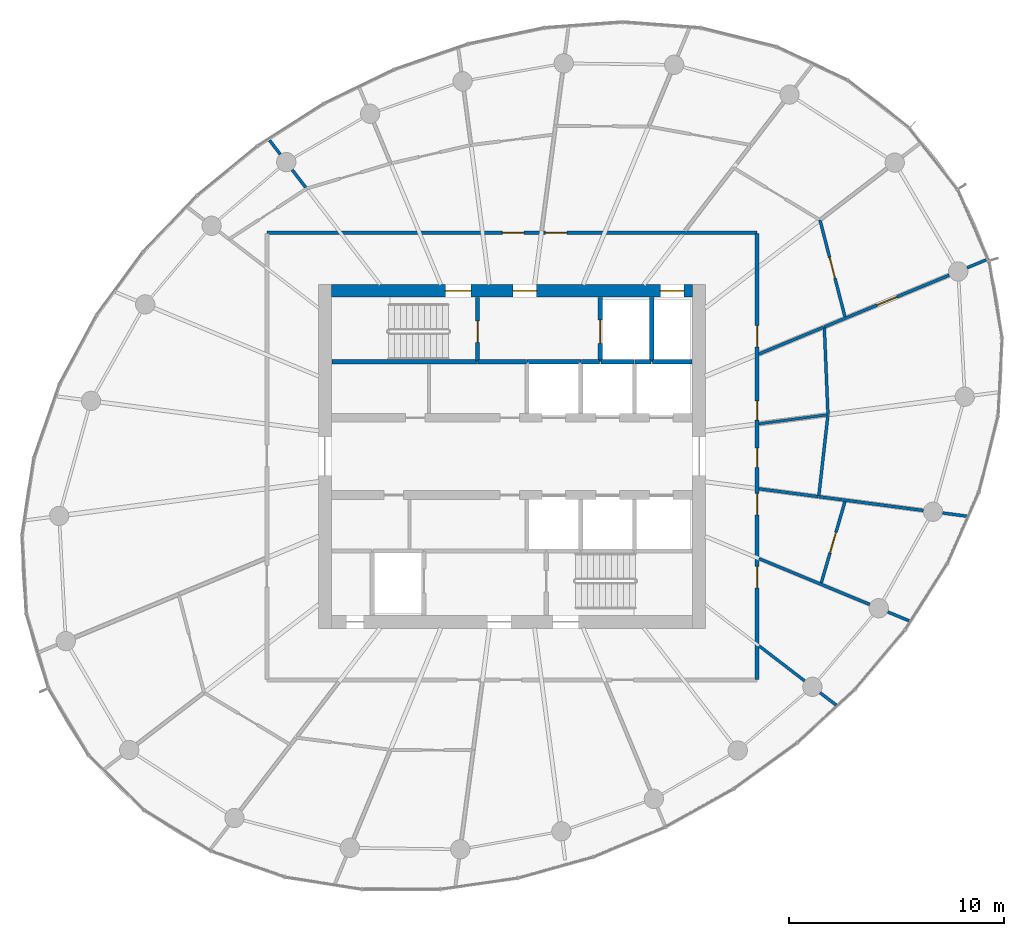
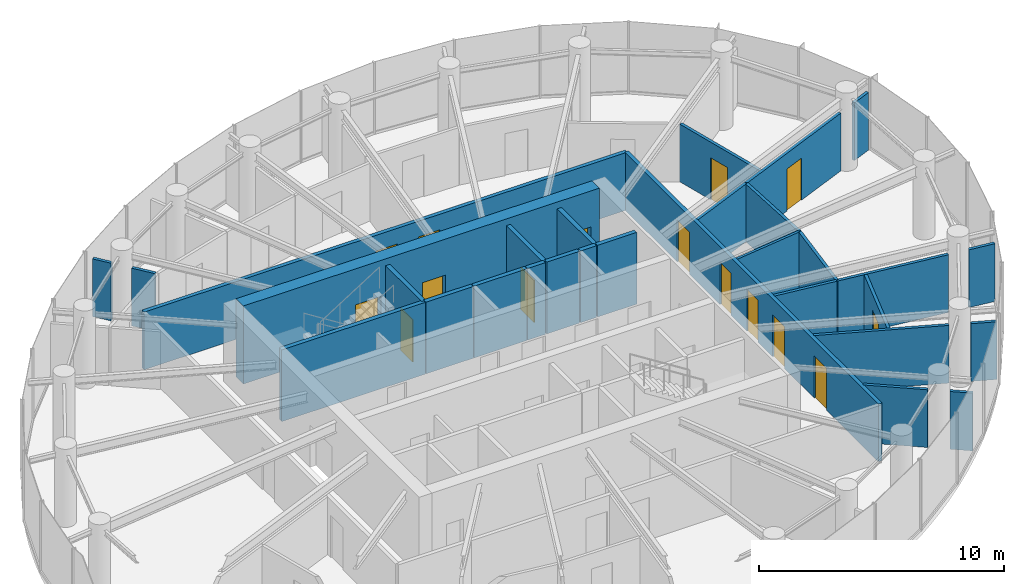
# One storey, part 11 of 14: 30 walls, 15 doors, 15 openings.
"""IFC4 building model written with IfcOpenShell, lengths in metres."""

from ifc_helpers import new_model, si_unit, direction, frame, frame_2d, origin, place, context, subcontext, project, spatial, rectangle, extrude, source, transform, mapped, material, layer, layer_set, type_object, element, fill, save


model = new_model("IFC4")

# Units and contexts
model_context = context("Model", 3, precision=1e-05, world=origin(), true_north=direction((0.0, 1.0)))
body_context = subcontext(model_context, "Body", "Model", "MODEL_VIEW")
ifc_project = project(units=[si_unit("LENGTHUNIT", "METRE"), si_unit("AREAUNIT", "SQUARE_METRE"), si_unit("VOLUMEUNIT", "CUBIC_METRE"), si_unit("PLANEANGLEUNIT", "RADIAN"), si_unit("MASSUNIT", "GRAM", prefix="KILO")], contexts=[model_context])

# Site, building, storey
site_placement = place(None, origin())
site = spatial("IfcSite", under=ifc_project, at=site_placement, CompositionType="ELEMENT")
building_placement = place(site_placement, origin())
building = spatial("IfcBuilding", under=site, at=building_placement, Name="Spindrift Exchange Tower", CompositionType="ELEMENT")
storey_placement = place(building_placement, frame((0.0, 0.0, 211.10009765625)))
storey = spatial("IfcBuildingStorey", under=building, at=storey_placement, Name="L51", CompositionType="ELEMENT", Elevation=211.10009765625)

# Wall, openings, doors
ifc_material_1 = material(Name="Concrete 50 MPa", Category="concrete")
ifc_layer_1 = layer(ifc_material_1, 0.60009765625)
ifc_layer_set_1 = layer_set([ifc_layer_1], Name="RC Core Wall 600 Concrete 50 MPa")
wall_type_1 = type_object("IfcWallType", Name="RC Core Wall 600 Concrete 50 MPa", PredefinedType="SHEAR", material=ifc_layer_set_1)
wall_1_placement = place(storey_placement, frame((60.39990234375, 55.699951171875, 0.0), z_axis=(0.0, 0.0, 1.0), x_axis=(-1.0, 0.0, 0.0)))
wall_1 = element("IfcWall", 1, at=wall_1_placement, inside=storey, type_object=wall_type_1, Name="Core wall N L51", PredefinedType="SHEAR", context=body_context, shape_type="SweptSolid", body=[
    extrude(rectangle(XDim=16.7998046875, YDim=0.60009765625, at=frame_2d((8.39990234375, 0.0))), origin(), (0.0, 0.0, 1.0), 3.89990234375),
])
opening_1_placement = place(wall_1_placement, frame((0.39990234375, 0.0, 0.0)))
opening_1 = element("IfcOpeningElement", 2, at=opening_1_placement, cuts=wall_1, Name="Opening L51-D11", PredefinedType="OPENING", context=body_context, shape_type="SweptSolid", body=[
    extrude(rectangle(XDim=1.10009765625, YDim=2.10009765625, at=frame_2d((0.550048828125, 1.050048828125))), frame((0.0, 0.31005859375, 0.0), z_axis=(0.0, -1.0, 0.0), x_axis=(1.0, 0.0, 0.0)), (0.0, 0.0, 1.0), 0.6201171875),
])
opening_2_placement = place(wall_1_placement, frame((10.300048828125, 0.0, 0.0)))
opening_2 = element("IfcOpeningElement", 3, at=opening_2_placement, cuts=wall_1, Name="Opening L51-D12", PredefinedType="OPENING", context=body_context, shape_type="SweptSolid", body=[
    extrude(rectangle(XDim=1.199951171875, YDim=2.10009765625, at=frame_2d((0.60009765625, 1.050048828125))), frame((0.0, 0.31005859375, 0.0), z_axis=(0.0, -1.0, 0.0), x_axis=(1.0, 0.0, 0.0)), (0.0, 0.0, 1.0), 0.6201171875),
])
opening_3_placement = place(wall_1_placement, frame((7.25, 0.0, 0.0)))
opening_3 = element("IfcOpeningElement", 4, at=opening_3_placement, cuts=wall_1, Name="Opening L51-D14", PredefinedType="OPENING", context=body_context, shape_type="SweptSolid", body=[
    extrude(rectangle(XDim=1.10009765625, YDim=2.10009765625, at=frame_2d((0.550048828125, 1.050048828125))), frame((0.0, 0.31005859375, 0.0), z_axis=(0.0, -1.0, 0.0), x_axis=(1.0, 0.0, 0.0)), (0.0, 0.0, 1.0), 0.6201171875),
])
ifc_material_2 = material(Name="Stainless steel landing door", Category="steel")
door_type_1 = type_object("IfcDoorType", Name="DR-LANDING-1100-SL", OperationType="DOUBLE_DOOR_SLIDING", PredefinedType="USERDEFINED", material=ifc_material_2)
shared_shape_1 = source(origin(), body_context, "Body", "SweptSolid", [
    extrude(rectangle(XDim=1.10009765625, YDim=2.10009765625, at=frame_2d((0.550048828125, 1.050048828125))), frame((0.0, 0.02490234375, 0.0), z_axis=(0.0, -1.0, 0.0), x_axis=(1.0, 0.0, 0.0)), (0.0, 0.0, 1.0), 0.050048828125),
])
door_1_placement = place(opening_1_placement, origin())
door_1 = element("IfcDoor", 5, at=door_1_placement, inside=storey, type_object=door_type_1, Name="L51 Lift landing door 11", ObjectType="LANDING DOOR", OperationType="DOUBLE_DOOR_SLIDING", OverallHeight=2.10009765625, OverallWidth=1.10009765625, PredefinedType="USERDEFINED", context=body_context, shape_type="MappedRepresentation", body=[
    mapped(shared_shape_1, transform((0.0, 0.0, 0.0), scale=1.0)),
])
fill(opening_1, door_1)
ifc_material_3 = material(Name="Steel fire door", Category="steel")
door_type_2 = type_object("IfcDoorType", Name="DR-STAIR-1200", OperationType="NOTDEFINED", PredefinedType="DOOR", material=ifc_material_3)
shared_shape_2 = source(origin(), body_context, "Body", "SweptSolid", [
    extrude(rectangle(XDim=1.199951171875, YDim=2.10009765625, at=frame_2d((0.60009765625, 1.050048828125))), frame((0.0, 0.02490234375, 0.0), z_axis=(0.0, -1.0, 0.0), x_axis=(1.0, 0.0, 0.0)), (0.0, 0.0, 1.0), 0.050048828125),
])
door_2_placement = place(opening_2_placement, origin())
door_2 = element("IfcDoor", 6, at=door_2_placement, inside=storey, type_object=door_type_2, Name="L51 Stair door 12", OperationType="SINGLE_SWING_RIGHT", OverallHeight=2.10009765625, OverallWidth=1.199951171875, PredefinedType="DOOR", context=body_context, shape_type="MappedRepresentation", body=[
    mapped(shared_shape_2, transform((0.0, 0.0, 0.0), scale=1.0)),
])
fill(opening_2, door_2)
ifc_material_4 = material(Name="Timber-core fire door", Category="wood")
door_type_3 = type_object("IfcDoorType", Name="DR-LOBBY-1100", OperationType="NOTDEFINED", PredefinedType="DOOR", material=ifc_material_4)
shared_shape_3 = source(origin(), body_context, "Body", "SweptSolid", [
    extrude(rectangle(XDim=1.10009765625, YDim=2.10009765625, at=frame_2d((0.550048828125, 1.050048828125))), frame((0.0, 0.02490234375, 0.0), z_axis=(0.0, -1.0, 0.0), x_axis=(1.0, 0.0, 0.0)), (0.0, 0.0, 1.0), 0.050048828125),
])
door_3_placement = place(opening_3_placement, origin())
door_3 = element("IfcDoor", 7, at=door_3_placement, inside=storey, type_object=door_type_3, Name="L51 Lobby door 14", OperationType="SINGLE_SWING_RIGHT", OverallHeight=2.10009765625, OverallWidth=1.10009765625, PredefinedType="DOOR", context=body_context, shape_type="MappedRepresentation", body=[
    mapped(shared_shape_3, transform((0.0, 0.0, 0.0), scale=1.0)),
])
fill(opening_3, door_3)

ifc_material_5 = material(Name="Fire-rated plasterboard partition", Category="gypsum")
ifc_layer_2 = layer(ifc_material_5, 0.179931640625)
ifc_layer_set_2 = layer_set([ifc_layer_2], Name="W-CORR-180")
wall_type_2 = type_object("IfcWallType", Name="W-CORR-180", PredefinedType="PARTITIONING", material=ifc_layer_set_2)
wall_2_placement = place(storey_placement, frame((40.60009765625, 58.39990234375, 0.0), z_axis=(0.0, 0.0, 1.0), x_axis=(1.0, 0.0, 0.0)))
wall_2 = element("IfcWall", 8, at=wall_2_placement, inside=storey, type_object=wall_type_2, Name="L51 Partition wall 27", PredefinedType="PARTITIONING", context=body_context, shape_type="SweptSolid", body=[
    extrude(rectangle(XDim=22.7998046875, YDim=0.179931640625, at=frame_2d((11.39990234375, 0.0))), origin(), (0.0, 0.0, 1.0), 2.8798828125),
])
opening_4_placement = place(wall_2_placement, frame((12.949951171875, 0.0, 0.0)))
opening_4 = element("IfcOpeningElement", 9, at=opening_4_placement, cuts=wall_2, Name="Opening L51-D25", PredefinedType="OPENING", context=body_context, shape_type="SweptSolid", body=[
    extrude(rectangle(XDim=1.0, YDim=2.10009765625, at=frame_2d((0.5, 1.050048828125))), frame((0.0, 0.099853515625, 0.0), z_axis=(0.0, -1.0, 0.0), x_axis=(1.0, 0.0, 0.0)), (0.0, 0.0, 1.0), 0.199951171875),
])
opening_5_placement = place(wall_2_placement, frame((10.949951171875, 0.0, 0.0)))
opening_5 = element("IfcOpeningElement", 10, at=opening_5_placement, cuts=wall_2, Name="Opening L51-D28", PredefinedType="OPENING", context=body_context, shape_type="SweptSolid", body=[
    extrude(rectangle(XDim=1.0, YDim=2.10009765625, at=frame_2d((0.5, 1.050048828125))), frame((0.0, 0.099853515625, 0.0), z_axis=(0.0, -1.0, 0.0), x_axis=(1.0, 0.0, 0.0)), (0.0, 0.0, 1.0), 0.199951171875),
])
door_type_4 = type_object("IfcDoorType", Name="DR-ROOM-1000", OperationType="NOTDEFINED", PredefinedType="DOOR", material=ifc_material_4)
shared_shape_4 = source(origin(), body_context, "Body", "SweptSolid", [
    extrude(rectangle(XDim=1.0, YDim=2.10009765625, at=frame_2d((0.5, 1.050048828125))), frame((0.0, 0.02490234375, 0.0), z_axis=(0.0, -1.0, 0.0), x_axis=(1.0, 0.0, 0.0)), (0.0, 0.0, 1.0), 0.050048828125),
])
door_4_placement = place(opening_4_placement, origin())
door_4 = element("IfcDoor", 11, at=door_4_placement, inside=storey, type_object=door_type_4, Name="L51 Door 25", OperationType="SINGLE_SWING_LEFT", OverallHeight=2.10009765625, OverallWidth=1.0, PredefinedType="DOOR", context=body_context, shape_type="MappedRepresentation", body=[
    mapped(shared_shape_4, transform((0.0, 0.0, 0.0), scale=1.0)),
])
fill(opening_4, door_4)
door_5_placement = place(opening_5_placement, origin())
door_5 = element("IfcDoor", 12, at=door_5_placement, inside=storey, type_object=door_type_4, Name="L51 Door 28", OperationType="SINGLE_SWING_RIGHT", OverallHeight=2.10009765625, OverallWidth=1.0, PredefinedType="DOOR", context=body_context, shape_type="MappedRepresentation", body=[
    mapped(shared_shape_4, transform((0.0, 0.0, 0.0), scale=1.0)),
])
fill(opening_5, door_5)

wall_3_placement = place(storey_placement, frame((63.39990234375, 58.3701171875, 0.0), z_axis=(0.0, 0.0, 1.0), x_axis=(0.0, -1.0, 0.0)))
wall_3 = element("IfcWall", 13, at=wall_3_placement, inside=storey, type_object=wall_type_2, Name="L51 Partition wall 29", PredefinedType="PARTITIONING", context=body_context, shape_type="SweptSolid", body=[
    extrude(rectangle(XDim=20.740234375, YDim=0.179931640625, at=frame_2d((10.3701171875, 0.0))), origin(), (0.0, 0.0, 1.0), 2.8798828125),
])
opening_6_placement = place(wall_3_placement, frame((9.989990234375, 0.0, 0.0)))
opening_6 = element("IfcOpeningElement", 14, at=opening_6_placement, cuts=wall_3, Name="Opening L51-D19", PredefinedType="OPENING", context=body_context, shape_type="SweptSolid", body=[
    extrude(rectangle(XDim=0.89990234375, YDim=2.10009765625, at=frame_2d((0.449951171875, 1.050048828125))), frame((0.0, 0.099853515625, 0.0), z_axis=(0.0, -1.0, 0.0), x_axis=(1.0, 0.0, 0.0)), (0.0, 0.0, 1.0), 0.199951171875),
])
opening_7_placement = place(wall_3_placement, frame((7.7900390625, 0.0, 0.0)))
opening_7 = element("IfcOpeningElement", 15, at=opening_7_placement, cuts=wall_3, Name="Opening L51-D20", PredefinedType="OPENING", context=body_context, shape_type="SweptSolid", body=[
    extrude(rectangle(XDim=0.89990234375, YDim=2.10009765625, at=frame_2d((0.449951171875, 1.050048828125))), frame((0.0, 0.099853515625, 0.0), z_axis=(0.0, -1.0, 0.0), x_axis=(1.0, 0.0, 0.0)), (0.0, 0.0, 1.0), 0.199951171875),
])
opening_8_placement = place(wall_3_placement, frame((4.2900390625, 0.0, 0.0)))
opening_8 = element("IfcOpeningElement", 16, at=opening_8_placement, cuts=wall_3, Name="Opening L51-D21", PredefinedType="OPENING", context=body_context, shape_type="SweptSolid", body=[
    extrude(rectangle(XDim=1.0, YDim=2.10009765625, at=frame_2d((0.5, 1.050048828125))), frame((0.0, 0.099853515625, 0.0), z_axis=(0.0, -1.0, 0.0), x_axis=(1.0, 0.0, 0.0)), (0.0, 0.0, 1.0), 0.199951171875),
])
opening_9_placement = place(wall_3_placement, frame((15.489990234375, 0.0, 0.0)))
opening_9 = element("IfcOpeningElement", 17, at=opening_9_placement, cuts=wall_3, Name="Opening L51-D42", PredefinedType="OPENING", context=body_context, shape_type="SweptSolid", body=[
    extrude(rectangle(XDim=1.0, YDim=2.10009765625, at=frame_2d((0.5, 1.050048828125))), frame((0.0, 0.099853515625, 0.0), z_axis=(0.0, -1.0, 0.0), x_axis=(1.0, 0.0, 0.0)), (0.0, 0.0, 1.0), 0.199951171875),
])
opening_10_placement = place(wall_3_placement, frame((12.090087890625, 0.0, 0.0)))
opening_10 = element("IfcOpeningElement", 18, at=opening_10_placement, cuts=wall_3, Name="Opening L51-D43", PredefinedType="OPENING", context=body_context, shape_type="SweptSolid", body=[
    extrude(rectangle(XDim=1.0, YDim=2.10009765625, at=frame_2d((0.5, 1.050048828125))), frame((0.0, 0.099853515625, 0.0), z_axis=(0.0, -1.0, 0.0), x_axis=(1.0, 0.0, 0.0)), (0.0, 0.0, 1.0), 0.199951171875),
])
door_6_placement = place(opening_8_placement, origin())
door_6 = element("IfcDoor", 19, at=door_6_placement, inside=storey, type_object=door_type_4, Name="L51 Door 21", OperationType="SINGLE_SWING_LEFT", OverallHeight=2.10009765625, OverallWidth=1.0, PredefinedType="DOOR", context=body_context, shape_type="MappedRepresentation", body=[
    mapped(shared_shape_4, transform((0.0, 0.0, 0.0), scale=1.0)),
])
fill(opening_8, door_6)
door_7_placement = place(opening_9_placement, origin())
door_7 = element("IfcDoor", 20, at=door_7_placement, inside=storey, type_object=door_type_4, Name="L51 Door 42", OperationType="SINGLE_SWING_RIGHT", OverallHeight=2.10009765625, OverallWidth=1.0, PredefinedType="DOOR", context=body_context, shape_type="MappedRepresentation", body=[
    mapped(shared_shape_4, transform((0.0, 0.0, 0.0), scale=1.0)),
])
fill(opening_9, door_7)
door_8_placement = place(opening_10_placement, origin())
door_8 = element("IfcDoor", 21, at=door_8_placement, inside=storey, type_object=door_type_4, Name="L51 Door 43", OperationType="SINGLE_SWING_LEFT", OverallHeight=2.10009765625, OverallWidth=1.0, PredefinedType="DOOR", context=body_context, shape_type="MappedRepresentation", body=[
    mapped(shared_shape_4, transform((0.0, 0.0, 0.0), scale=1.0)),
])
fill(opening_10, door_8)
ifc_material_6 = material(Name="Laminate washroom door", Category="wood")
door_type_5 = type_object("IfcDoorType", Name="DR-WC-900", OperationType="NOTDEFINED", PredefinedType="DOOR", material=ifc_material_6)
shared_shape_5 = source(origin(), body_context, "Body", "SweptSolid", [
    extrude(rectangle(XDim=0.89990234375, YDim=2.10009765625, at=frame_2d((0.449951171875, 1.050048828125))), frame((0.0, 0.02490234375, 0.0), z_axis=(0.0, -1.0, 0.0), x_axis=(1.0, 0.0, 0.0)), (0.0, 0.0, 1.0), 0.050048828125),
])
door_9_placement = place(opening_6_placement, origin())
door_9 = element("IfcDoor", 22, at=door_9_placement, inside=storey, type_object=door_type_5, Name="L51 WC door 19", OperationType="SINGLE_SWING_LEFT", OverallHeight=2.10009765625, OverallWidth=0.89990234375, PredefinedType="DOOR", context=body_context, shape_type="MappedRepresentation", body=[
    mapped(shared_shape_5, transform((0.0, 0.0, 0.0), scale=1.0)),
])
fill(opening_6, door_9)
door_10_placement = place(opening_7_placement, origin())
door_10 = element("IfcDoor", 23, at=door_10_placement, inside=storey, type_object=door_type_5, Name="L51 WC door 20", OperationType="SINGLE_SWING_RIGHT", OverallHeight=2.10009765625, OverallWidth=0.89990234375, PredefinedType="DOOR", context=body_context, shape_type="MappedRepresentation", body=[
    mapped(shared_shape_5, transform((0.0, 0.0, 0.0), scale=1.0)),
])
fill(opening_7, door_10)

# Wall, opening, door
ifc_layer_3 = layer(ifc_material_5, 0.139892578125)
ifc_layer_set_3 = layer_set([ifc_layer_3], Name="W-PART-140")
wall_type_3 = type_object("IfcWallType", Name="W-PART-140", PredefinedType="PARTITIONING", material=ifc_layer_set_3)
wall_4_placement = place(storey_placement, frame((72.332763671875, 56.422119140625, 0.0), z_axis=(0.0, 0.0, 1.0), x_axis=(-0.92388853292, -0.382661702733, 0.0)))
wall_4 = element("IfcWall", 24, at=wall_4_placement, inside=storey, type_object=wall_type_3, Name="L51 Partition wall 31", PredefinedType="PARTITIONING", context=body_context, shape_type="SweptSolid", body=[
    extrude(rectangle(XDim=6.284912109375, YDim=0.139892578125, at=frame_2d((3.142578125, 0.0))), origin(), (0.0, 0.0, 1.0), 2.8798828125),
])
opening_11_placement = place(wall_4_placement, frame((2.635009765625, 0.0, 0.0)))
opening_11 = element("IfcOpeningElement", 25, at=opening_11_placement, cuts=wall_4, Name="Opening L51-D24", PredefinedType="OPENING", context=body_context, shape_type="SweptSolid", body=[
    extrude(rectangle(XDim=1.0, YDim=2.10009765625, at=frame_2d((0.5, 1.050048828125))), frame((0.0, 0.079833984375, 0.0), z_axis=(0.0, -1.0, 0.0), x_axis=(1.0, 0.0, 0.0)), (0.0, 0.0, 1.0), 0.159912109375),
])
door_11_placement = place(opening_11_placement, origin())
door_11 = element("IfcDoor", 26, at=door_11_placement, inside=storey, type_object=door_type_4, Name="L51 Door 24", OperationType="SINGLE_SWING_RIGHT", OverallHeight=2.10009765625, OverallWidth=1.0, PredefinedType="DOOR", context=body_context, shape_type="MappedRepresentation", body=[
    mapped(shared_shape_4, transform((0.0, 0.0, 0.0), scale=1.0)),
])
fill(opening_11, door_11)

# Walls
wall_5_placement = place(storey_placement, frame((68.638916015625, 41.10791015625, 0.0), z_axis=(0.0, 0.0, 1.0), x_axis=(-0.9238758778, 0.382692255499, 0.0)))
element("IfcWall", 27, at=wall_5_placement, inside=storey, type_object=wall_type_3, Name="L51 Partition wall 32", PredefinedType="PARTITIONING", context=body_context, shape_type="SweptSolid", body=[
    extrude(rectangle(XDim=5.5732421875, YDim=0.139892578125, at=frame_2d((2.78662109375, 0.0))), origin(), (0.0, 0.0, 1.0), 2.8798828125),
])
wall_6_placement = place(storey_placement, frame((66.26708984375, 46.12158203125, 0.0), z_axis=(0.0, 0.0, 1.0), x_axis=(0.991448195842, -0.130500861923, 0.0)))
element("IfcWall", 28, at=wall_6_placement, inside=storey, type_object=wall_type_3, Name="L51 Partition wall 36", PredefinedType="PARTITIONING", context=body_context, shape_type="SweptSolid", body=[
    extrude(rectangle(XDim=4.9052734375, YDim=0.139892578125, at=frame_2d((2.45263671875, 0.0))), origin(), (0.0, 0.0, 1.0), 2.8798828125),
])

# Wall, opening, door
wall_7_placement = place(storey_placement, frame((66.32421875, 58.991455078125, 0.0), z_axis=(0.0, 0.0, 1.0), x_axis=(0.249819251726, -0.968292487561, 0.0)))
wall_7 = element("IfcWall", 29, at=wall_7_placement, inside=storey, type_object=wall_type_3, Name="L51 Partition wall 39", PredefinedType="PARTITIONING", context=body_context, shape_type="SweptSolid", body=[
    extrude(rectangle(XDim=4.64892578125, YDim=0.139892578125, at=frame_2d((2.324462890625, 0.0))), origin(), (0.0, 0.0, 1.0), 2.8798828125),
])
opening_12_placement = place(wall_7_placement, frame((1.798583984375, 0.0, 0.0)))
opening_12 = element("IfcOpeningElement", 30, at=opening_12_placement, cuts=wall_7, Name="Opening L51-D22", PredefinedType="OPENING", context=body_context, shape_type="SweptSolid", body=[
    extrude(rectangle(XDim=1.0, YDim=2.10009765625, at=frame_2d((0.5, 1.050048828125))), frame((0.0, 0.079833984375, 0.0), z_axis=(0.0, -1.0, 0.0), x_axis=(1.0, 0.0, 0.0)), (0.0, 0.0, 1.0), 0.159912109375),
])
door_12_placement = place(opening_12_placement, origin())
door_12 = element("IfcDoor", 31, at=door_12_placement, inside=storey, type_object=door_type_4, Name="L51 Door 22", OperationType="SINGLE_SWING_RIGHT", OverallHeight=2.10009765625, OverallWidth=1.0, PredefinedType="DOOR", context=body_context, shape_type="MappedRepresentation", body=[
    mapped(shared_shape_4, transform((0.0, 0.0, 0.0), scale=1.0)),
])
fill(opening_12, door_12)

# Wall
wall_8_placement = place(storey_placement, frame((66.696044921875, 49.934814453125, 0.0), z_axis=(0.0, 0.0, 1.0), x_axis=(-0.041535399008, 0.999137032959, 0.0)))
element("IfcWall", 32, at=wall_8_placement, inside=storey, type_object=wall_type_3, Name="L51 Partition wall 48", PredefinedType="PARTITIONING", context=body_context, shape_type="SweptSolid", body=[
    extrude(rectangle(XDim=4.0556640625, YDim=0.139892578125, at=frame_2d((2.02783203125, 0.0))), origin(), (0.0, 0.0, 1.0), 2.8798828125),
])

# Wall, opening, door
wall_9_placement = place(storey_placement, frame((67.484375, 45.890869140625, 0.0), z_axis=(0.0, 0.0, 1.0), x_axis=(-0.279262901939, -0.960214679955, 0.0)))
wall_9 = element("IfcWall", 33, at=wall_9_placement, inside=storey, type_object=wall_type_3, Name="L51 Partition wall 50", PredefinedType="PARTITIONING", context=body_context, shape_type="SweptSolid", body=[
    extrude(rectangle(XDim=3.9306640625, YDim=0.139892578125, at=frame_2d((1.96533203125, 0.0))), origin(), (0.0, 0.0, 1.0), 2.8798828125),
])
opening_13_placement = place(wall_9_placement, frame((1.480712890625, 0.0, 0.0)))
opening_13 = element("IfcOpeningElement", 34, at=opening_13_placement, cuts=wall_9, Name="Opening L51-D44", PredefinedType="OPENING", context=body_context, shape_type="SweptSolid", body=[
    extrude(rectangle(XDim=1.0, YDim=2.10009765625, at=frame_2d((0.5, 1.050048828125))), frame((0.0, 0.079833984375, 0.0), z_axis=(0.0, -1.0, 0.0), x_axis=(1.0, 0.0, 0.0)), (0.0, 0.0, 1.0), 0.159912109375),
])
door_13_placement = place(opening_13_placement, origin())
door_13 = element("IfcDoor", 35, at=door_13_placement, inside=storey, type_object=door_type_4, Name="L51 Door 44", OperationType="SINGLE_SWING_RIGHT", OverallHeight=2.10009765625, OverallWidth=1.0, PredefinedType="DOOR", context=body_context, shape_type="MappedRepresentation", body=[
    mapped(shared_shape_4, transform((0.0, 0.0, 0.0), scale=1.0)),
])
fill(opening_13, door_13)

# Walls
wall_10_placement = place(storey_placement, frame((66.2705078125, 46.151611328125, 0.0), z_axis=(0.0, 0.0, 1.0), x_axis=(0.111758070994, 0.993735444456, 0.0)))
element("IfcWall", 36, at=wall_10_placement, inside=storey, type_object=wall_type_3, Name="L51 Partition wall 55", PredefinedType="PARTITIONING", context=body_context, shape_type="SweptSolid", body=[
    extrude(rectangle(XDim=3.777099609375, YDim=0.139892578125, at=frame_2d((1.888671875, 0.0))), origin(), (0.0, 0.0, 1.0), 2.8798828125),
])
wall_11_placement = place(storey_placement, frame((63.489990234375, 52.75927734375, 0.0), z_axis=(0.0, 0.0, 1.0), x_axis=(0.923862401464, 0.382724787753, 0.0)))
element("IfcWall", 37, at=wall_11_placement, inside=storey, type_object=wall_type_3, Name="L51 Partition wall 63", PredefinedType="PARTITIONING", context=body_context, shape_type="SweptSolid", body=[
    extrude(rectangle(XDim=3.256591796875, YDim=0.139892578125, at=frame_2d((1.62841796875, 0.0))), origin(), (0.0, 0.0, 1.0), 2.8798828125),
])
wall_12_placement = place(storey_placement, frame((63.489990234375, 46.4873046875, 0.0), z_axis=(0.0, 0.0, 1.0), x_axis=(0.991438994906, -0.13057074473, 0.0)))
element("IfcWall", 38, at=wall_12_placement, inside=storey, type_object=wall_type_3, Name="L51 Partition wall 65", PredefinedType="PARTITIONING", context=body_context, shape_type="SweptSolid", body=[
    extrude(rectangle(XDim=2.77099609375, YDim=0.139892578125, at=frame_2d((1.385498046875, 0.0))), origin(), (0.0, 0.0, 1.0), 2.8798828125),
])
wall_13_placement = place(storey_placement, frame((63.489990234375, 39.183349609375, 0.0), z_axis=(0.0, 0.0, 1.0), x_axis=(0.793363703091, -0.608747923707, 0.0)))
element("IfcWall", 39, at=wall_13_placement, inside=storey, type_object=wall_type_3, Name="L51 Partition wall 67", PredefinedType="PARTITIONING", context=body_context, shape_type="SweptSolid", body=[
    extrude(rectangle(XDim=2.672607421875, YDim=0.139892578125, at=frame_2d((1.33642578125, 0.0))), origin(), (0.0, 0.0, 1.0), 2.8798828125),
])
wall_14_placement = place(storey_placement, frame((72.031494140625, 45.36279296875, 0.0), z_axis=(0.0, 0.0, 1.0), x_axis=(0.99143621724, -0.130591834141, 0.0)))
element("IfcWall", 40, at=wall_14_placement, inside=storey, type_object=wall_type_3, Name="L51 Partition wall 81", PredefinedType="PARTITIONING", context=body_context, shape_type="SweptSolid", body=[
    extrude(rectangle(XDim=1.149658203125, YDim=0.139892578125, at=frame_2d((0.57470703125, 0.0))), origin(), (0.0, 0.0, 1.0), 2.8798828125),
])
wall_15_placement = place(storey_placement, frame((42.4033203125, 60.506591796875, 0.0), z_axis=(0.0, 0.0, 1.0), x_axis=(-0.608700642645, 0.793399979609, 0.0)))
element("IfcWall", 41, at=wall_15_placement, inside=storey, type_object=wall_type_3, Name="L51 Partition wall 82", PredefinedType="PARTITIONING", context=body_context, shape_type="SweptSolid", body=[
    extrude(rectangle(XDim=1.0283203125, YDim=0.139892578125, at=frame_2d((0.51416015625, 0.0))), origin(), (0.0, 0.0, 1.0), 2.8798828125),
])
wall_16_placement = place(storey_placement, frame((70.46435546875, 40.351806640625, 0.0), z_axis=(0.0, 0.0, 1.0), x_axis=(-0.923921911664, 0.382581104012, 0.0)))
element("IfcWall", 42, at=wall_16_placement, inside=storey, type_object=wall_type_3, Name="L51 Partition wall 83", PredefinedType="PARTITIONING", context=body_context, shape_type="SweptSolid", body=[
    extrude(rectangle(XDim=1.065673828125, YDim=0.139892578125, at=frame_2d((0.53271484375, 0.0))), origin(), (0.0, 0.0, 1.0), 2.8798828125),
])
wall_17_placement = place(storey_placement, frame((73.173583984375, 56.770263671875, 0.0), z_axis=(0.0, 0.0, 1.0), x_axis=(0.923779659408, 0.38292445843, 0.0)))
element("IfcWall", 43, at=wall_17_placement, inside=storey, type_object=wall_type_3, Name="L51 Partition wall 88", PredefinedType="PARTITIONING", context=body_context, shape_type="SweptSolid", body=[
    extrude(rectangle(XDim=0.953857421875, YDim=0.139892578125, at=frame_2d((0.47705078125, 0.0))), origin(), (0.0, 0.0, 1.0), 2.8798828125),
])
wall_18_placement = place(storey_placement, frame((66.33154296875, 37.0029296875, 0.0), z_axis=(0.0, 0.0, 1.0), x_axis=(0.793344167197, -0.608773383431, 0.0)))
element("IfcWall", 44, at=wall_18_placement, inside=storey, type_object=wall_type_3, Name="L51 Partition wall 90", PredefinedType="PARTITIONING", context=body_context, shape_type="SweptSolid", body=[
    extrude(rectangle(XDim=0.9443359375, YDim=0.139892578125, at=frame_2d((0.47216796875, 0.0))), origin(), (0.0, 0.0, 1.0), 2.8798828125),
])
wall_19_placement = place(storey_placement, frame((41.22412109375, 62.043701171875, 0.0), z_axis=(0.0, 0.0, 1.0), x_axis=(-0.608936045201, 0.793219322038, 0.0)))
element("IfcWall", 45, at=wall_19_placement, inside=storey, type_object=wall_type_3, Name="L51 Partition wall 93", PredefinedType="PARTITIONING", context=body_context, shape_type="SweptSolid", body=[
    extrude(rectangle(XDim=0.82275390625, YDim=0.139892578125, at=frame_2d((0.411376953125, 0.0))), origin(), (0.0, 0.0, 1.0), 2.8798828125),
])

# Wall, opening, door
ifc_material_7 = material(Name="Concrete 40 MPa", Category="concrete")
ifc_layer_4 = layer(ifc_material_7, 0.199951171875)
ifc_layer_set_4 = layer_set([ifc_layer_4], Name="W-SHAFT-200")
wall_type_4 = type_object("IfcWallType", Name="W-SHAFT-200", PredefinedType="SOLIDWALL", material=ifc_layer_set_4)
wall_20_placement = place(storey_placement, frame((56.10009765625, 55.3798828125, 0.0), z_axis=(0.0, 0.0, 1.0), x_axis=(0.0, -1.0, 0.0)))
wall_20 = element("IfcWall", 46, at=wall_20_placement, inside=storey, type_object=wall_type_4, Name="L51 Shaft wall 7", PredefinedType="SOLIDWALL", context=body_context, shape_type="SweptSolid", body=[
    extrude(rectangle(XDim=2.97998046875, YDim=0.199951171875, at=frame_2d((1.489990234375, 0.0))), origin(), (0.0, 0.0, 1.0), 3.579833984375),
])
opening_14_placement = place(wall_20_placement, frame((1.030029296875, 0.0, 0.0)))
opening_14 = element("IfcOpeningElement", 47, at=opening_14_placement, cuts=wall_20, Name="Opening L51-D9", PredefinedType="OPENING", context=body_context, shape_type="SweptSolid", body=[
    extrude(rectangle(XDim=1.10009765625, YDim=2.10009765625, at=frame_2d((0.550048828125, 1.050048828125))), frame((0.0, 0.10986328125, 0.0), z_axis=(0.0, -1.0, 0.0), x_axis=(1.0, 0.0, 0.0)), (0.0, 0.0, 1.0), 0.219970703125),
])
door_14_placement = place(opening_14_placement, origin())
door_14 = element("IfcDoor", 48, at=door_14_placement, inside=storey, type_object=door_type_1, Name="L51 Lift landing door 9", ObjectType="LANDING DOOR", OperationType="DOUBLE_DOOR_SLIDING", OverallHeight=2.10009765625, OverallWidth=1.10009765625, PredefinedType="USERDEFINED", context=body_context, shape_type="MappedRepresentation", body=[
    mapped(shared_shape_1, transform((0.0, 0.0, 0.0), scale=1.0)),
])
fill(opening_14, door_14)

# Walls
wall_21_placement = place(storey_placement, frame((58.5, 52.39990234375, 0.0), z_axis=(0.0, 0.0, 1.0), x_axis=(0.0, 1.0, 0.0)))
element("IfcWall", 49, at=wall_21_placement, inside=storey, type_object=wall_type_4, Name="L51 Shaft wall 8", PredefinedType="SOLIDWALL", context=body_context, shape_type="SweptSolid", body=[
    extrude(rectangle(XDim=2.97998046875, YDim=0.199951171875, at=frame_2d((1.489990234375, 0.0))), origin(), (0.0, 0.0, 1.0), 3.579833984375),
])
wall_22_placement = place(storey_placement, frame((55.199951171875, 52.39990234375, 0.0), z_axis=(0.0, 0.0, 1.0), x_axis=(-1.0, 0.0, 0.0)))
element("IfcWall", 50, at=wall_22_placement, inside=storey, type_object=wall_type_4, Name="L51 Shaft wall 10", PredefinedType="SOLIDWALL", context=body_context, shape_type="SweptSolid", body=[
    extrude(rectangle(XDim=2.5, YDim=0.199951171875, at=frame_2d((1.25, 0.0))), origin(), (0.0, 0.0, 1.0), 3.579833984375),
])
wall_23_placement = place(storey_placement, frame((60.3798828125, 52.39990234375, 0.0), z_axis=(0.0, 0.0, 1.0), x_axis=(-1.0, 0.0, 0.0)))
element("IfcWall", 51, at=wall_23_placement, inside=storey, type_object=wall_type_4, Name="L51 Shaft wall 21", PredefinedType="SOLIDWALL", context=body_context, shape_type="SweptSolid", body=[
    extrude(rectangle(XDim=1.849853515625, YDim=0.199951171875, at=frame_2d((0.9248046875, 0.0))), origin(), (0.0, 0.0, 1.0), 3.579833984375),
])
wall_24_placement = place(storey_placement, frame((57.669921875, 52.39990234375, 0.0), z_axis=(0.0, 0.0, 1.0), x_axis=(-1.0, 0.0, 0.0)))
element("IfcWall", 52, at=wall_24_placement, inside=storey, type_object=wall_type_4, Name="L51 Shaft wall 23", PredefinedType="SOLIDWALL", context=body_context, shape_type="SweptSolid", body=[
    extrude(rectangle(XDim=1.5400390625, YDim=0.199951171875, at=frame_2d((0.77001953125, 0.0))), origin(), (0.0, 0.0, 1.0), 3.579833984375),
])
wall_25_placement = place(storey_placement, frame((56.070068359375, 52.39990234375, 0.0), z_axis=(0.0, 0.0, 1.0), x_axis=(-1.0, 0.0, 0.0)))
element("IfcWall", 53, at=wall_25_placement, inside=storey, type_object=wall_type_4, Name="L51 Shaft wall 25", PredefinedType="SOLIDWALL", context=body_context, shape_type="SweptSolid", body=[
    extrude(rectangle(XDim=0.840087890625, YDim=0.199951171875, at=frame_2d((0.419921875, 0.0))), origin(), (0.0, 0.0, 1.0), 3.579833984375),
])
wall_26_placement = place(storey_placement, frame((58.469970703125, 52.39990234375, 0.0), z_axis=(0.0, 0.0, 1.0), x_axis=(-1.0, 0.0, 0.0)))
element("IfcWall", 54, at=wall_26_placement, inside=storey, type_object=wall_type_4, Name="L51 Shaft wall 26", PredefinedType="SOLIDWALL", context=body_context, shape_type="SweptSolid", body=[
    extrude(rectangle(XDim=0.739990234375, YDim=0.199951171875, at=frame_2d((0.3701171875, 0.0))), origin(), (0.0, 0.0, 1.0), 3.579833984375),
])
ifc_layer_5 = layer(ifc_material_7, 0.199951171875)
ifc_layer_set_5 = layer_set([ifc_layer_5], Name="W-SHAFT-200-LB")
wall_type_5 = type_object("IfcWallType", Name="W-SHAFT-200-LB", PredefinedType="SOLIDWALL", material=ifc_layer_set_5)
wall_27_placement = place(storey_placement, frame((43.6201171875, 52.39990234375, 0.0), z_axis=(0.0, 0.0, 1.0), x_axis=(1.0, 0.0, 0.0)))
element("IfcWall", 55, at=wall_27_placement, inside=storey, type_object=wall_type_5, Name="L51 Shaft wall 1", PredefinedType="SOLIDWALL", context=body_context, shape_type="SweptSolid", body=[
    extrude(rectangle(XDim=6.77978515625, YDim=0.199951171875, at=frame_2d((3.389892578125, 0.0))), origin(), (0.0, 0.0, 1.0), 3.579833984375),
])

# Wall, opening, door
wall_28_placement = place(storey_placement, frame((50.39990234375, 52.429931640625, 0.0), z_axis=(0.0, 0.0, 1.0), x_axis=(0.0, 1.0, 0.0)))
wall_28 = element("IfcWall", 56, at=wall_28_placement, inside=storey, type_object=wall_type_5, Name="L51 Shaft wall 5", PredefinedType="SOLIDWALL", context=body_context, shape_type="SweptSolid", body=[
    extrude(rectangle(XDim=2.949951171875, YDim=0.199951171875, at=frame_2d((1.47509765625, 0.0))), origin(), (0.0, 0.0, 1.0), 3.579833984375),
])
opening_15_placement = place(wall_28_placement, frame((0.8701171875, 0.0, 0.0)))
opening_15 = element("IfcOpeningElement", 57, at=opening_15_placement, cuts=wall_28, Name="Opening L51-D13", PredefinedType="OPENING", context=body_context, shape_type="SweptSolid", body=[
    extrude(rectangle(XDim=1.0, YDim=2.10009765625, at=frame_2d((0.5, 1.050048828125))), frame((0.0, 0.10986328125, 0.0), z_axis=(0.0, -1.0, 0.0), x_axis=(1.0, 0.0, 0.0)), (0.0, 0.0, 1.0), 0.219970703125),
])
door_type_6 = type_object("IfcDoorType", Name="DR-STAIR-1000", OperationType="NOTDEFINED", PredefinedType="DOOR", material=ifc_material_3)
shared_shape_6 = source(origin(), body_context, "Body", "SweptSolid", [
    extrude(rectangle(XDim=1.0, YDim=2.10009765625, at=frame_2d((0.5, 1.050048828125))), frame((0.0, 0.02490234375, 0.0), z_axis=(0.0, -1.0, 0.0), x_axis=(1.0, 0.0, 0.0)), (0.0, 0.0, 1.0), 0.050048828125),
])
door_15_placement = place(opening_15_placement, origin())
door_15 = element("IfcDoor", 58, at=door_15_placement, inside=storey, type_object=door_type_6, Name="L51 Stair door 13", OperationType="SINGLE_SWING_LEFT", OverallHeight=2.10009765625, OverallWidth=1.0, PredefinedType="DOOR", context=body_context, shape_type="MappedRepresentation", body=[
    mapped(shared_shape_6, transform((0.0, 0.0, 0.0), scale=1.0)),
])
fill(opening_15, door_15)

# Walls
wall_29_placement = place(storey_placement, frame((50.429931640625, 52.39990234375, 0.0), z_axis=(0.0, 0.0, 1.0), x_axis=(1.0, 0.0, 0.0)))
element("IfcWall", 59, at=wall_29_placement, inside=storey, type_object=wall_type_5, Name="L51 Shaft wall 19", PredefinedType="SOLIDWALL", context=body_context, shape_type="SweptSolid", body=[
    extrude(rectangle(XDim=2.239990234375, YDim=0.199951171875, at=frame_2d((1.1201171875, 0.0))), origin(), (0.0, 0.0, 1.0), 3.579833984375),
])
ifc_layer_6 = layer(ifc_material_5, 0.1201171875)
ifc_layer_set_6 = layer_set([ifc_layer_6], Name="W-WET-120")
wall_type_6 = type_object("IfcWallType", Name="W-WET-120", PredefinedType="PARTITIONING", material=ifc_layer_set_6)
wall_30_placement = place(storey_placement, frame((63.489990234375, 49.5126953125, 0.0), z_axis=(0.0, 0.0, 1.0), x_axis=(0.991442878973, 0.130541249168, 0.0)))
element("IfcWall", 60, at=wall_30_placement, inside=storey, type_object=wall_type_6, Name="L51 Partition wall 94", PredefinedType="PARTITIONING", context=body_context, shape_type="SweptSolid", body=[
    extrude(rectangle(XDim=3.20361328125, YDim=0.1201171875, at=frame_2d((1.601806640625, 0.0))), origin(), (0.0, 0.0, 1.0), 2.8798828125),
])

save(model, "model.ifc")
